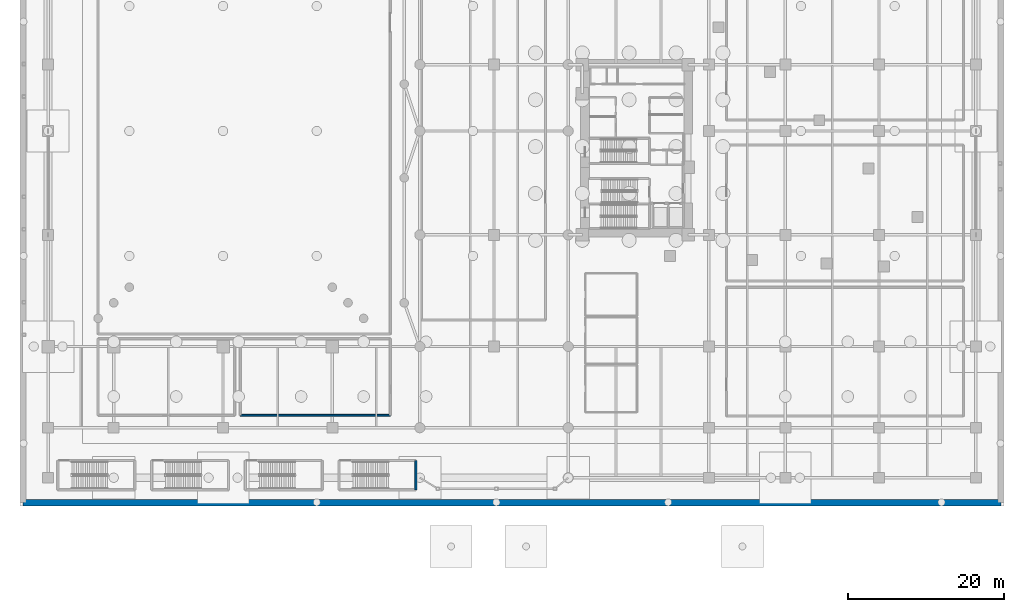
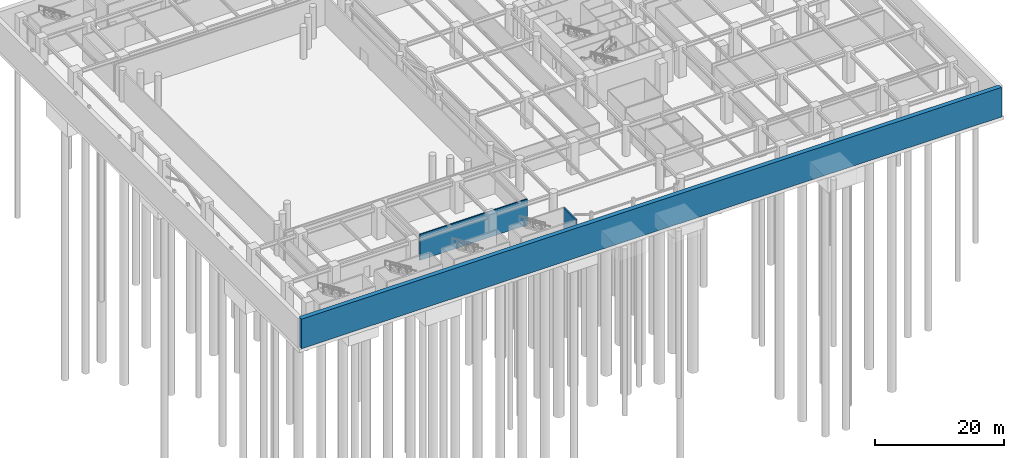
# One storey, part 17 of 37: 3 walls.
"""IFC4 building model written with IfcOpenShell, lengths in metres."""

from ifc_helpers import new_model, si_unit, direction, frame, frame_2d, origin, place, context, subcontext, project, spatial, rectangle, extrude, material, layer, layer_set, type_object, element, save


model = new_model("IFC4")

# Units and contexts
model_context = context("Model", 3, precision=1e-05, world=origin(), true_north=direction((0.0, 1.0)))
body_context = subcontext(model_context, "Body", "Model", "MODEL_VIEW")
ifc_project = project(units=[si_unit("LENGTHUNIT", "METRE"), si_unit("AREAUNIT", "SQUARE_METRE"), si_unit("VOLUMEUNIT", "CUBIC_METRE"), si_unit("PLANEANGLEUNIT", "RADIAN"), si_unit("MASSUNIT", "GRAM", prefix="KILO")], contexts=[model_context])

# Site, building, storey
site_placement = place(None, origin())
site = spatial("IfcSite", under=ifc_project, at=site_placement, CompositionType="ELEMENT")
building_placement = place(site_placement, origin())
building = spatial("IfcBuilding", under=site, at=building_placement, Name="Narakoshi Arena Tower", CompositionType="ELEMENT")
storey_placement = place(building_placement, frame((0.0, 0.0, -6.0)))
storey = spatial("IfcBuildingStorey", under=building, at=storey_placement, Name="B01", CompositionType="ELEMENT", Elevation=-6.0)

# Walls
ifc_material_1 = material(Name="Concrete C40/50", Category="concrete")
ifc_layer_1 = layer(ifc_material_1, 0.219970703125)
ifc_layer_set_1 = layer_set([ifc_layer_1], Name="Concrete C40/50")
wall_type_1 = type_object("IfcWallType", Name="WL-COMP-220", PredefinedType="SOLIDWALL", material=ifc_layer_set_1)
wall_1_placement = place(storey_placement, frame((28.199951171875, 11.60009765625, 0.0), z_axis=(0.0, 0.0, 1.0), x_axis=(1.0, 0.0, 0.0)))
element("IfcWall", 1, at=wall_1_placement, inside=storey, type_object=wall_type_1, Name="B01 Team B Athlete Changing Room Wall S", PredefinedType="SOLIDWALL", context=body_context, shape_type="SweptSolid", body=[
    extrude(rectangle(XDim=19.199951171875, YDim=0.219970703125, at=frame_2d((9.60009765625, 0.0))), origin(), (0.0, 0.0, 1.0), 4.885009765625),
])
ifc_material_2 = material(Name="Concrete C45/55", Category="concrete")
ifc_layer_2 = layer(ifc_material_2, 0.800048828125)
ifc_layer_set_2 = layer_set([ifc_layer_2], Name="Concrete C45/55")
wall_type_2 = type_object("IfcWallType", Name="WL-RET-800", PredefinedType="USERDEFINED", material=ifc_layer_set_2)
wall_2_placement = place(storey_placement, frame((0.39990234375, 0.39990234375, 0.0), z_axis=(0.0, 0.0, 1.0), x_axis=(1.0, 0.0, 0.0)))
element("IfcWall", 2, at=wall_2_placement, inside=storey, type_object=wall_type_2, Name="B01 Diaphragm Retaining Wall S", ObjectType="RETAININGWALL", PredefinedType="USERDEFINED", context=body_context, shape_type="SweptSolid", body=[
    extrude(rectangle(XDim=125.2001953125, YDim=0.800048828125, at=frame_2d((62.60009765625, 0.0))), origin(), (0.0, 0.0, 1.0), 5.60009765625),
])
ifc_material_3 = material(Name="Concrete C50/60", Category="concrete")
ifc_layer_3 = layer(ifc_material_3, 0.35009765625)
ifc_layer_set_3 = layer_set([ifc_layer_3], Name="Concrete C50/60")
wall_type_3 = type_object("IfcWallType", Name="WL-SHAFT-350", PredefinedType="SOLIDWALL", material=ifc_layer_set_3)
wall_3_placement = place(storey_placement, frame((50.699951171875, 2.050048828125, -0.60009765625), z_axis=(0.0, 0.0, 1.0), x_axis=(0.0, 1.0, 0.0)))
element("IfcWall", 3, at=wall_3_placement, inside=storey, type_object=wall_type_3, Name="B01 AST4 Enclosure Wall E", PredefinedType="SOLIDWALL", context=body_context, shape_type="SweptSolid", body=[
    extrude(rectangle(XDim=3.75, YDim=0.25, at=frame_2d((1.875, 0.0))), origin(), (0.0, 0.0, 1.0), 6.2001953125),
])

save(model, "model.ifc")
